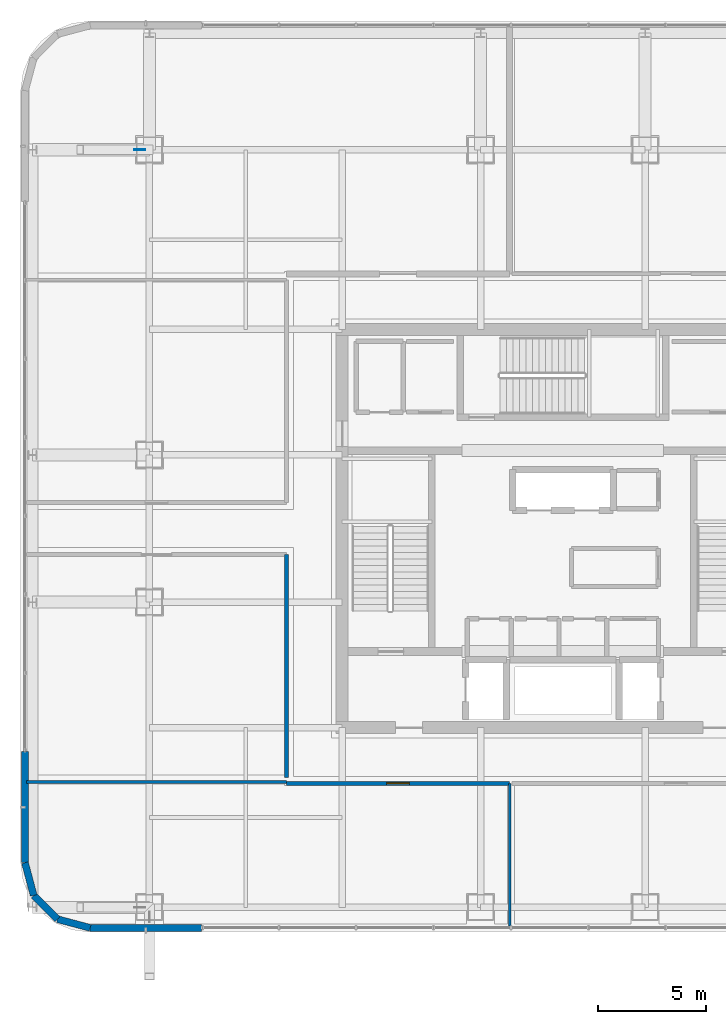
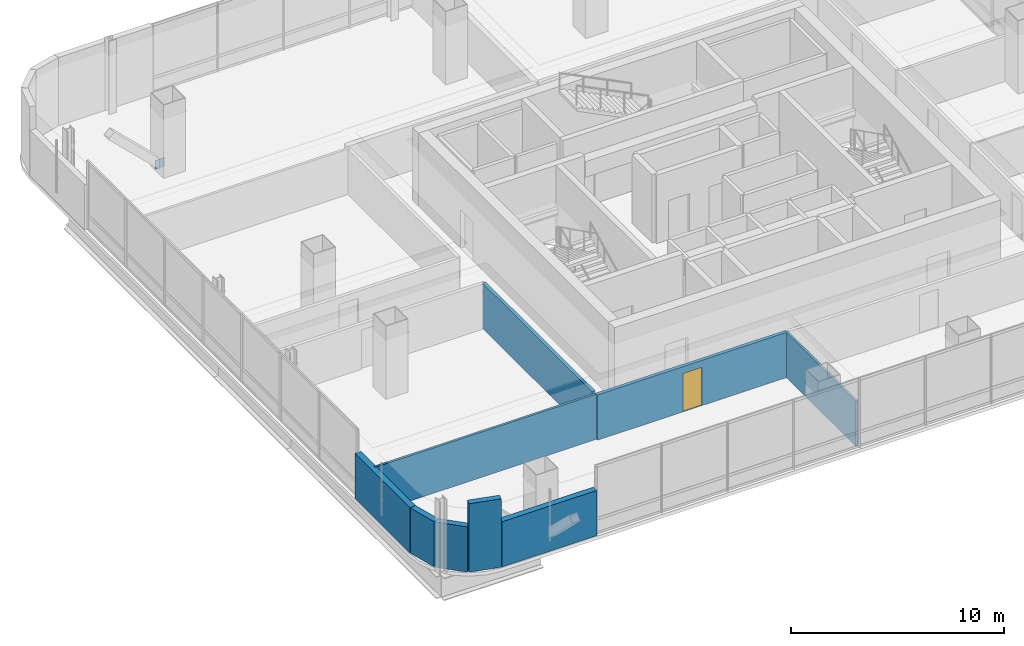
# One storey, part 33 of 51: 9 walls, 1 door, 1 plate, 1 opening.
"""IFC4 building model written with IfcOpenShell, lengths in metres."""

from ifc_helpers import new_model, si_unit, direction, frame, frame_2d, origin, origin_2d, place, context, subcontext, project, spatial, rectangle, extrude, material, layer, layer_set, type_object, element, fill, save


model = new_model("IFC4")

# Units and contexts
model_context = context("Model", 3, precision=1e-05, world=origin(), true_north=direction((0.0, 1.0)))
body_context = subcontext(model_context, "Body", "Model", "MODEL_VIEW")
ifc_project = project(units=[si_unit("LENGTHUNIT", "METRE"), si_unit("AREAUNIT", "SQUARE_METRE"), si_unit("VOLUMEUNIT", "CUBIC_METRE"), si_unit("PLANEANGLEUNIT", "RADIAN"), si_unit("MASSUNIT", "GRAM", prefix="KILO")], contexts=[model_context])

# Site, building, storey
site_placement = place(None, origin())
site = spatial("IfcSite", under=ifc_project, at=site_placement, CompositionType="ELEMENT")
building_placement = place(site_placement, origin())
building = spatial("IfcBuilding", under=site, at=building_placement, Name="Punatoya Terracotta Tower", CompositionType="ELEMENT")
storey_placement = place(building_placement, frame((0.0, 0.0, 313.199951171875)))
storey = spatial("IfcBuildingStorey", under=building, at=storey_placement, Name="L74", CompositionType="ELEMENT", Elevation=313.199951171875)

# Plate
ifc_material_1 = material(Name="Steel S460", Category="steel")
ifc_layer_1 = layer(ifc_material_1, 0.031982421875)
ifc_layer_set_1 = layer_set([ifc_layer_1], Name="Steel S460")
plate_type = type_object("IfcPlateType", Name="PLT-END-32", PredefinedType="USERDEFINED", material=ifc_layer_set_1)
plate_placement = place(storey_placement, frame((-19.548095703125, 17.5, 0.2041015625), z_axis=(0.0, 0.0, 1.0), x_axis=(1.0, 0.0, 0.0)))
element("IfcPlate", 1, at=plate_placement, inside=storey, type_object=plate_type, Name="L75 Knee-Strut Base Gusset Plate W2", ObjectType="FLANGE_PLATE", PredefinedType="USERDEFINED", context=body_context, shape_type="SweptSolid", body=[
    extrude(rectangle(XDim=0.5, YDim=0.031982421875, at=origin_2d()), origin(), (0.0, 0.0, 1.0), 0.5),
])

# Wall, opening, door
ifc_material_2 = material(Name="Gypsum Fireboard + Steel Stud", Category="steel")
ifc_layer_2 = layer(ifc_material_2, 0.179931640625)
ifc_layer_set_2 = layer_set([ifc_layer_2], Name="Gypsum Fireboard + Steel Stud")
wall_type_1 = type_object("IfcWallType", Name="WL-CORR-180", PredefinedType="PARTITIONING", material=ifc_layer_set_2)
wall_1_placement = place(storey_placement, frame((-12.77001953125, -11.77001953125, 0.0), z_axis=(0.0, 0.0, 1.0), x_axis=(1.0, 0.0, 0.0)))
wall_1 = element("IfcWall", 2, at=wall_1_placement, inside=storey, type_object=wall_type_1, Name="L74 Open-Plan Staff Wellness Studio Partition 27", PredefinedType="PARTITIONING", context=body_context, shape_type="SweptSolid", body=[
    extrude(rectangle(XDim=10.31005859375, YDim=0.179931640625, at=frame_2d((5.155029296875, 0.0))), origin(), (0.0, 0.0, 1.0), 2.593994140625),
])
opening_placement = place(wall_1_placement, frame((4.6298828125, 0.0, 0.0)))
opening = element("IfcOpeningElement", 3, at=opening_placement, cuts=wall_1, Name="Opening OD-01", PredefinedType="OPENING", context=body_context, shape_type="SweptSolid", body=[
    extrude(rectangle(XDim=1.050048828125, YDim=2.199951171875, at=frame_2d((0.52490234375, 1.10009765625))), frame((0.0, 0.099853515625, 0.0), z_axis=(0.0, -1.0, 0.0), x_axis=(1.0, 0.0, 0.0)), (0.0, 0.0, 1.0), 0.199951171875),
])
ifc_material_3 = material(Name="Bengal Teak Solid-Core Leaf")
door_type = type_object("IfcDoorType", Name="DR-OFF-1050", OperationType="NOTDEFINED", PredefinedType="DOOR", material=ifc_material_3)
door_placement = place(opening_placement, origin())
door = element("IfcDoor", 4, at=door_placement, inside=storey, type_object=door_type, Name="L74 Open-Plan Staff Wellness Studio Door", OperationType="SINGLE_SWING_LEFT", OverallHeight=2.199951171875, OverallWidth=1.050048828125, PredefinedType="DOOR", context=body_context, shape_type="SweptSolid", body=[
    extrude(rectangle(XDim=1.050048828125, YDim=2.199951171875, at=frame_2d((0.52490234375, 1.10009765625))), frame((0.0, 0.02490234375, 0.0), z_axis=(0.0, -1.0, 0.0), x_axis=(1.0, 0.0, 0.0)), (0.0, 0.0, 1.0), 0.050048828125),
])
fill(opening, door)

# Walls
wall_2_placement = place(storey_placement, frame((-12.77001953125, -1.199951171875, 0.0), z_axis=(0.0, 0.0, 1.0), x_axis=(0.0, -1.0, 0.0)))
element("IfcWall", 5, at=wall_2_placement, inside=storey, type_object=wall_type_1, Name="L74 Open-Plan Leadership Training Classroom Partition 34", PredefinedType="PARTITIONING", context=body_context, shape_type="SweptSolid", body=[
    extrude(rectangle(XDim=10.2900390625, YDim=0.179931640625, at=frame_2d((5.14501953125, 0.0))), origin(), (0.0, 0.0, 1.0), 2.593994140625),
])
ifc_material_4 = material(Name="Precast concrete C40/50", Category="concrete")
ifc_layer_3 = layer(ifc_material_4, 0.320068359375)
ifc_layer_set_3 = layer_set([ifc_layer_3], Name="Precast concrete C40/50")
wall_type_2 = type_object("IfcWallType", Name="WL-EXT-320", PredefinedType="SOLIDWALL", material=ifc_layer_set_3)
for number, where, z_axis, x_axis, name in (
    (6, (-21.8369140625, -18.449951171875, 0.0), (0.0, 0.0, 1.0), (1.0, 0.0, 0.0), "L74 Terracotta Braced Facade Wall S1"),
    (7, (-24.85009765625, -10.300048828125, 0.0), (0.0, 0.0, 1.0), (0.0, -1.0, 0.0), "L74 Terracotta Braced Facade Wall W2"),
):
    element("IfcWall", number, at=place(storey_placement, frame(where, z_axis=z_axis, x_axis=x_axis)), inside=storey, type_object=wall_type_2, Name=name, PredefinedType="SOLIDWALL", context=body_context, shape_type="SweptSolid", body=[
        extrude(rectangle(XDim=5.136962890625, YDim=0.320068359375, at=frame_2d((2.568359375, 0.0))), origin(), (0.0, 0.0, 1.0), 2.593994140625),
    ])
wall_3_placement = place(storey_placement, frame((-24.85009765625, -15.43701171875, 0.0), z_axis=(0.0, 0.0, 1.0), x_axis=(0.257847112249, -0.966185730957, 0.0)))
element("IfcWall", 8, at=wall_3_placement, inside=storey, type_object=wall_type_2, Name="L74 Rounded Terracotta Corner Pier 14", PredefinedType="SOLIDWALL", context=body_context, shape_type="SweptSolid", body=[
    extrude(rectangle(XDim=1.565185546875, YDim=0.320068359375, at=frame_2d((0.78271484375, 0.0))), origin(), (0.0, 0.0, 1.0), 2.593994140625),
])
wall_4_placement = place(storey_placement, frame((-24.446533203125, -16.94921875, 0.0), z_axis=(0.0, 0.0, 1.0), x_axis=(0.707106781187, -0.707106781187, 0.0)))
element("IfcWall", 9, at=wall_4_placement, inside=storey, type_object=wall_type_2, Name="L74 Rounded Terracotta Corner Pier 15", PredefinedType="SOLIDWALL", context=body_context, shape_type="SweptSolid", body=[
    extrude(rectangle(XDim=1.552001953125, YDim=0.320068359375, at=frame_2d((0.77587890625, 0.0))), origin(), (0.0, 0.0, 1.0), 2.593994140625),
])
wall_5_placement = place(storey_placement, frame((-23.34912109375, -18.046630859375, 0.0), z_axis=(0.0, 0.0, 1.0), x_axis=(0.966224582397, -0.257701486942, 0.0)))
element("IfcWall", 10, at=wall_5_placement, inside=storey, type_object=wall_type_2, Name="L74 Rounded Terracotta Corner Pier 16", PredefinedType="SOLIDWALL", context=body_context, shape_type="SweptSolid", body=[
    extrude(rectangle(XDim=1.565185546875, YDim=0.320068359375, at=frame_2d((0.78271484375, 0.0))), origin(), (0.0, 0.0, 1.0), 3.920166015625),
])
ifc_material_5 = material(Name="Gypsum Partition + Steel Stud", Category="steel")
ifc_layer_4 = layer(ifc_material_5, 0.1201171875)
ifc_layer_set_4 = layer_set([ifc_layer_4], Name="Gypsum Partition + Steel Stud")
wall_type_3 = type_object("IfcWallType", Name="WL-OFF-120", PredefinedType="PARTITIONING", material=ifc_layer_set_4)
wall_6_placement = place(storey_placement, frame((-24.77001953125, -11.7099609375, 0.0), z_axis=(0.0, 0.0, 1.0), x_axis=(1.0, 0.0, 0.0)))
element("IfcWall", 11, at=wall_6_placement, inside=storey, type_object=wall_type_3, Name="L74 Open-Plan Staff Wellness Studio Partition 26", PredefinedType="PARTITIONING", context=body_context, shape_type="SweptSolid", body=[
    extrude(rectangle(XDim=12.0, YDim=0.1201171875, at=frame_2d((6.0, 0.0))), origin(), (0.0, 0.0, 1.0), 2.593994140625),
])
wall_7_placement = place(storey_placement, frame((-2.4599609375, -11.77001953125, 0.0), z_axis=(0.0, 0.0, 1.0), x_axis=(0.0, -1.0, 0.0)))
element("IfcWall", 12, at=wall_7_placement, inside=storey, type_object=wall_type_3, Name="L74 Open-Plan Staff Wellness Studio Partition 28", PredefinedType="PARTITIONING", context=body_context, shape_type="SweptSolid", body=[
    extrude(rectangle(XDim=6.60009765625, YDim=0.1201171875, at=frame_2d((3.300048828125, 0.0))), origin(), (0.0, 0.0, 1.0), 2.593994140625),
])

save(model, "model.ifc")
